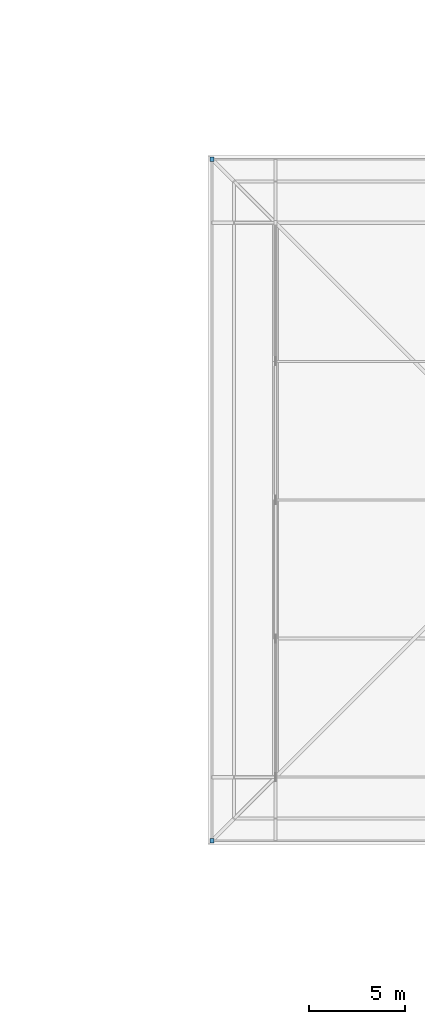
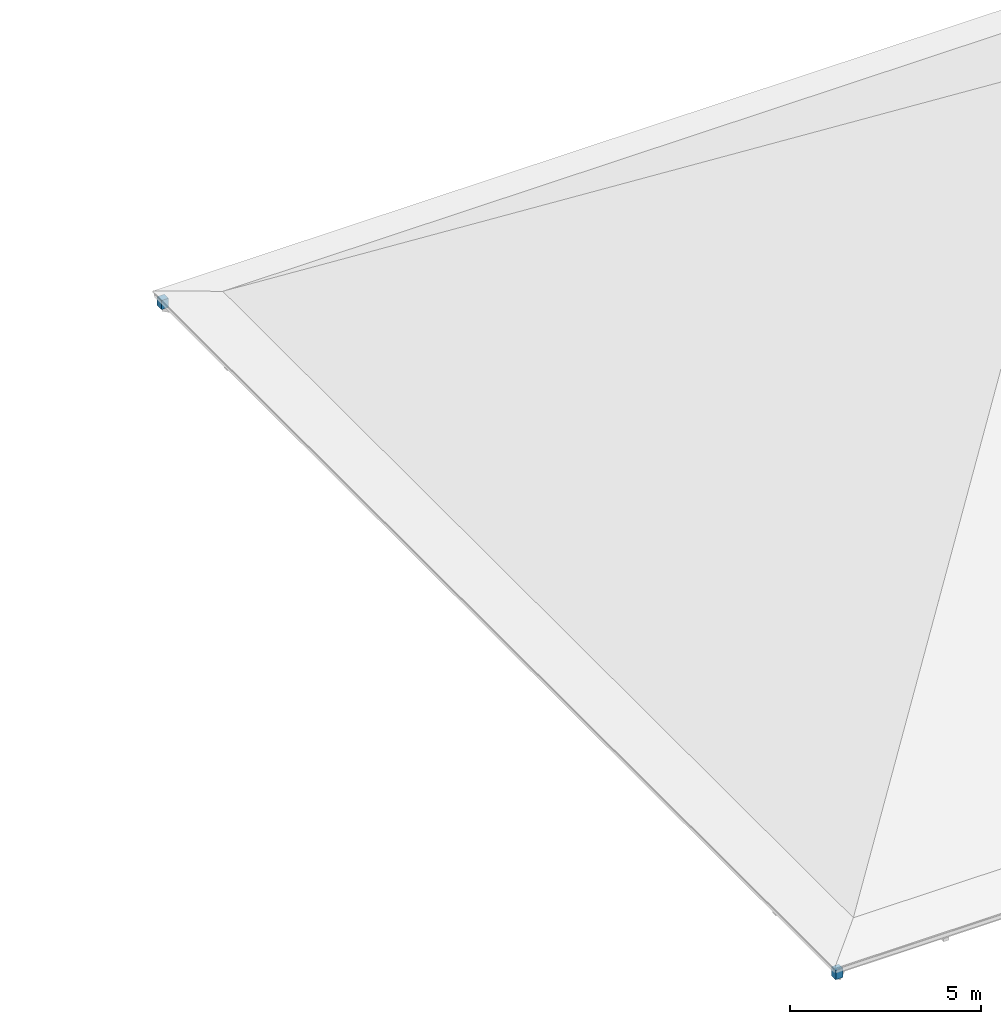
# One storey, part 87 of 100: 2 discrete accessories.
"""IFC4 building model written with IfcOpenShell, lengths in metres."""

from ifc_helpers import new_model, si_unit, direction, frame, origin, origin_2d, place, context, subcontext, project, spatial, rectangle, extrude, material, type_object, element, save


model = new_model("IFC4")

# Units and contexts
model_context = context("Model", 3, precision=1e-05, world=origin(), true_north=direction((0.0, 1.0)))
body_context = subcontext(model_context, "Body", "Model", "MODEL_VIEW")
ifc_project = project(units=[si_unit("LENGTHUNIT", "METRE"), si_unit("AREAUNIT", "SQUARE_METRE"), si_unit("VOLUMEUNIT", "CUBIC_METRE"), si_unit("PLANEANGLEUNIT", "RADIAN"), si_unit("MASSUNIT", "GRAM", prefix="KILO")], contexts=[model_context])

# Site, building, storey
site_placement = place(None, origin())
site = spatial("IfcSite", under=ifc_project, at=site_placement, CompositionType="ELEMENT")
building_placement = place(site_placement, origin())
building = spatial("IfcBuilding", under=site, at=building_placement, Name="Steenspoor Specialist Clinic", CompositionType="ELEMENT")
storey_placement = place(building_placement, frame((0.0, 0.0, 9.0)))
storey = spatial("IfcBuildingStorey", under=building, at=storey_placement, Name="L02", CompositionType="ELEMENT", Elevation=9.0)

# Discrete accessories
ifc_material = material(Name="Galvanised steel mounting bracket", Category="steel")
discrete_accessory_type = type_object("IfcDiscreteAccessoryType", Name="ACC-BRACKET-FIN", PredefinedType="BRACKET", material=ifc_material)
for number, where, z_axis, x_axis, name in (
    (1, (41.89990234375, 9.75, -0.39794921875), (0.0, 0.0, 1.0), (1.0, 0.0, 0.0), "Eave Corner Hip Bracket 41"),
    (2, (41.89990234375, 45.14990234375, -0.39794921875), (0.0, 0.0, 1.0), (1.0, 0.0, 0.0), "Eave Corner Hip Bracket 43"),
):
    element("IfcDiscreteAccessory", number, at=place(storey_placement, frame(where, z_axis=z_axis, x_axis=x_axis)), inside=storey, type_object=discrete_accessory_type, Name=name, PredefinedType="BRACKET", context=body_context, shape_type="SweptSolid", body=[
        extrude(rectangle(XDim=0.219970703125, YDim=0.219970703125, at=origin_2d()), origin(), (0.0, 0.0, 1.0), 0.293212890625),
    ])

save(model, "model.ifc")
